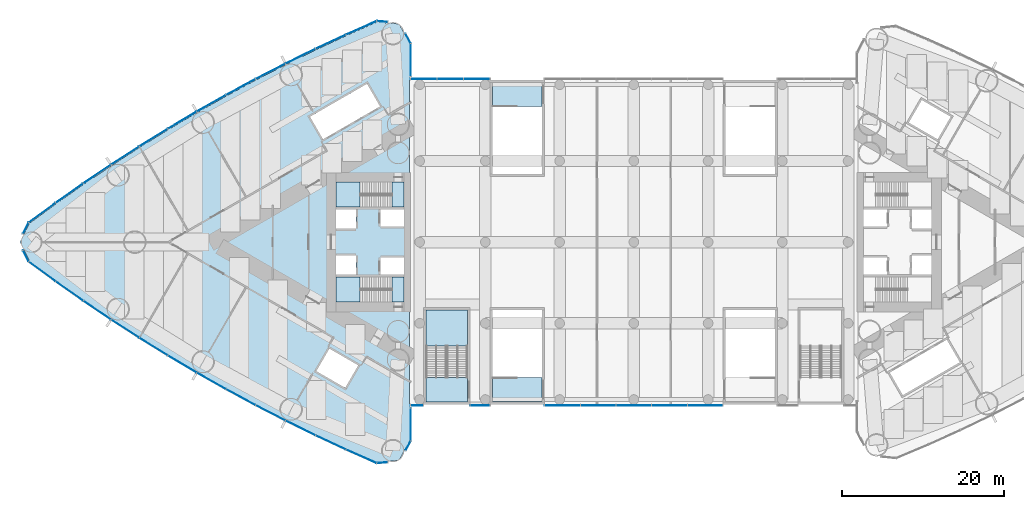
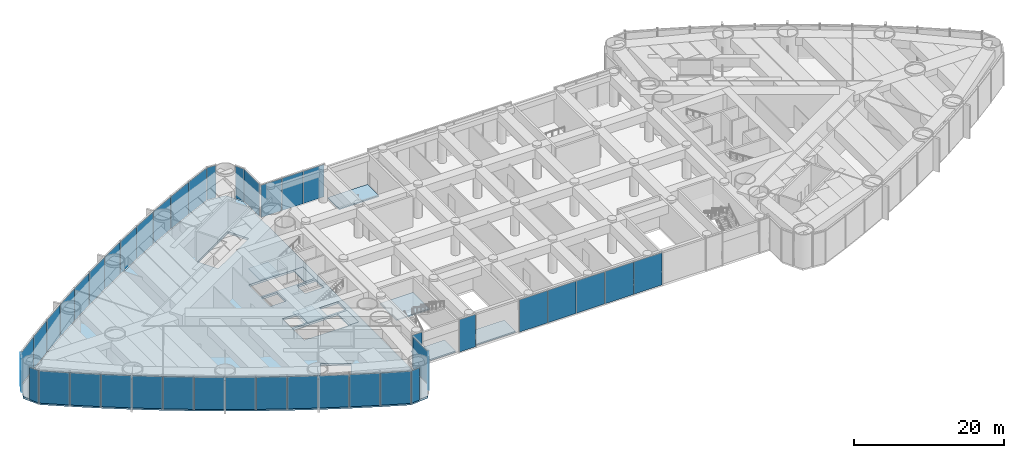
# One storey, part 12 of 20: 42 plates, 9 slabs, 11 elements without a shape of their own.
"""IFC4 building model written with IfcOpenShell, lengths in metres."""

from ifc_helpers import new_model, si_unit, direction, frame, origin, origin_2d, place, context, subcontext, project, spatial, polyline, rectangle, outline, extrude, material, layer, layer_set, type_object, element, aggregate, save


model = new_model("IFC4")

# Units and contexts
model_context = context("Model", 3, precision=1e-05, world=origin(), true_north=direction((0.0, 1.0)))
body_context = subcontext(model_context, "Body", "Model", "MODEL_VIEW")
ifc_project = project(units=[si_unit("LENGTHUNIT", "METRE"), si_unit("AREAUNIT", "SQUARE_METRE"), si_unit("VOLUMEUNIT", "CUBIC_METRE"), si_unit("PLANEANGLEUNIT", "RADIAN"), si_unit("MASSUNIT", "GRAM", prefix="KILO")], contexts=[model_context])

# Site, building, storey
site_placement = place(None, origin())
site = spatial("IfcSite", under=ifc_project, at=site_placement, CompositionType="ELEMENT")
building_placement = place(site_placement, origin())
building = spatial("IfcBuilding", under=site, at=building_placement, Name="Lancet Gate Hotel", CompositionType="ELEMENT")
storey_placement = place(building_placement, frame((0.0, 0.0, 7.199951171875)))
storey = spatial("IfcBuildingStorey", under=building, at=storey_placement, Name="L01", CompositionType="ELEMENT", Elevation=7.199951171875)

# Slab
ifc_material_1 = material(Name="Concrete C50/60", Category="concrete")
ifc_layer_1 = layer(ifc_material_1, 0.35009765625)
ifc_layer_set_1 = layer_set([ifc_layer_1], Name="Floor slab 350")
slab_type_1 = type_object("IfcSlabType", Name="Floor slab 350", PredefinedType="FLOOR", material=ifc_layer_set_1)
slab_1_placement = place(storey_placement, frame((0.0, 0.0, -0.349853515625)))
element("IfcSlab", 1, at=slab_1_placement, inside=storey, type_object=slab_type_1, Name="T1 L01 floor slab", PredefinedType="FLOOR", context=body_context, shape_type="SweptSolid", body=[
    extrude(outline(polyline([(-27.6201171875, -24.4609375), (-27.6201171875, 24.4609375), (-28.926513671875, 26.8837890625), (-31.668212890625, 27.12353515625), (-35.424072265625, 25.458740234375), (-39.173583984375, 23.70849609375), (-42.887939453125, 21.884765625), (-46.56591796875, 19.98876953125), (-50.2060546875, 18.02099609375), (-53.806884765625, 15.982421875), (-57.366943359375, 13.87353515625), (-60.88525390625, 11.695068359375), (-64.360107421875, 9.448486328125), (-67.7900390625, 7.134033203125), (-71.17431640625, 4.752685546875), (-74.488525390625, 2.322021484375), (-75.65087890625, 0.0), (-74.488525390625, -2.322021484375), (-71.17431640625, -4.752685546875), (-67.7900390625, -7.134033203125), (-64.360107421875, -9.448486328125), (-60.88525390625, -11.695068359375), (-57.366943359375, -13.87353515625), (-53.806884765625, -15.982421875), (-50.2060546875, -18.02099609375), (-46.56591796875, -19.98876953125), (-42.887939453125, -21.884765625), (-39.173583984375, -23.70849609375), (-35.424072265625, -25.458740234375), (-31.668212890625, -27.12353515625), (-28.926513671875, -26.8837890625), (-27.6201171875, -24.4609375)]), holes=[polyline([(-36.699951171875, 7.39990234375), (-36.699951171875, 4.300048828125), (-28.300048828125, 4.300048828125), (-28.300048828125, 7.39990234375), (-36.699951171875, 7.39990234375)]), polyline([(-28.300048828125, 4.0), (-31.199951171875, 4.0), (-31.199951171875, 1.89990234375), (-28.300048828125, 1.89990234375), (-28.300048828125, 4.0)]), polyline([(-34.25, 4.0), (-36.699951171875, 4.0), (-36.699951171875, 1.64990234375), (-34.25, 1.64990234375), (-34.25, 4.0)]), polyline([(-36.699951171875, -1.64990234375), (-36.699951171875, -4.0), (-34.25, -4.0), (-34.25, -1.64990234375), (-36.699951171875, -1.64990234375)]), polyline([(-28.300048828125, -1.89990234375), (-31.199951171875, -1.89990234375), (-31.199951171875, -4.0), (-28.300048828125, -4.0), (-28.300048828125, -1.89990234375)]), polyline([(-28.300048828125, -4.300048828125), (-36.699951171875, -4.300048828125), (-36.699951171875, -7.39990234375), (-28.300048828125, -7.39990234375), (-28.300048828125, -4.300048828125)]), polyline([(-31.2900390625, 16.73095703125), (-32.889892578125, 19.501953125), (-39.904052734375, 15.451904296875), (-38.303955078125, 12.680908203125), (-31.2900390625, 16.73095703125)]), polyline([(-33.97412109375, -15.180908203125), (-37.52490234375, -13.131103515625), (-39.125, -15.902099609375), (-35.573974609375, -17.951904296875), (-33.97412109375, -15.180908203125)])]), origin(), (0.0, 0.0, 1.0), 0.349853515625),
])

# Curtain wall, plates
ifc_material_2 = material(Name="Aluminium curtain wall", Category="aluminium")
curtain_wall_type = type_object("IfcCurtainWallType", Name="Podium curtain wall", PredefinedType="USERDEFINED", material=ifc_material_2)
curtain_wall_1_placement = place(storey_placement, origin())
curtain_wall_1 = element("IfcCurtainWall", 2, at=curtain_wall_1_placement, inside=storey, type_object=curtain_wall_type, Name="T1 L01 curtain wall 1", ObjectType="UNITISED CURTAIN WALL", PredefinedType="USERDEFINED")
ifc_material_3 = material(Name="Glass double glazed unit 10-16-10", Category="glass")
ifc_layer_2 = layer(ifc_material_3, 0.035888671875)
ifc_layer_set_2 = layer_set([ifc_layer_2], Name="Podium vision panel")
plate_type = type_object("IfcPlateType", Name="Podium vision panel", PredefinedType="CURTAIN_PANEL", material=ifc_layer_set_2)
plate_1_placement = place(storey_placement, frame((-27.5, 22.454833984375, 0.0), z_axis=(0.0, 0.0, 1.0), x_axis=(0.0, 1.0, 0.0)))
plate_1 = element("IfcPlate", 3, at=plate_1_placement, type_object=plate_type, Name="T1 L01 curtain wall 1 panel 1", PredefinedType="CURTAIN_PANEL", context=body_context, shape_type="SweptSolid", body=[
    extrude(rectangle(XDim=4.0078125, YDim=0.035888671875, at=origin_2d()), origin(), (0.0, 0.0, 1.0), 5.25),
])
plate_2_placement = place(storey_placement, frame((-27.829345703125, 25.10205078125, 0.0), z_axis=(0.0, 0.0, 1.0), x_axis=(-0.474631040972, 0.880184852714, 0.0)))
plate_2 = element("IfcPlate", 4, at=plate_2_placement, type_object=plate_type, Name="T1 L01 curtain wall 1 panel 2", PredefinedType="CURTAIN_PANEL", context=body_context, shape_type="SweptSolid", body=[
    extrude(rectangle(XDim=1.322998046875, YDim=0.035888671875, at=origin_2d()), origin(), (0.0, 0.0, 1.0), 5.25),
])
aggregate(curtain_wall_1, [plate_1, plate_2])

curtain_wall_2_placement = place(storey_placement, origin())
curtain_wall_2 = element("IfcCurtainWall", 5, at=curtain_wall_2_placement, inside=storey, type_object=curtain_wall_type, Name="T1 L01 curtain wall 2", ObjectType="UNITISED CURTAIN WALL", PredefinedType="USERDEFINED")
plate_3_placement = place(storey_placement, frame((-30.99658203125, 27.185302734375, 0.0), z_axis=(0.0, 0.0, 1.0), x_axis=(-0.99620380374, 0.087051602022, 0.0)))
plate_3 = element("IfcPlate", 6, at=plate_3_placement, type_object=plate_type, Name="T1 L01 curtain wall 2 panel 1", PredefinedType="CURTAIN_PANEL", context=body_context, shape_type="SweptSolid", body=[
    extrude(rectangle(XDim=1.32421875, YDim=0.035888671875, at=origin_2d()), origin(), (0.0, 0.0, 1.0), 5.25),
])
plate_4_placement = place(storey_placement, frame((-33.581298828125, 26.406982421875, 0.0), z_axis=(0.0, 0.0, 1.0), x_axis=(-0.914234183208, -0.405186201954, 0.0)))
plate_4 = element("IfcPlate", 7, at=plate_4_placement, type_object=plate_type, Name="T1 L01 curtain wall 2 panel 2", PredefinedType="CURTAIN_PANEL", context=body_context, shape_type="SweptSolid", body=[
    extrude(rectangle(XDim=4.0751953125, YDim=0.035888671875, at=origin_2d()), origin(), (0.0, 0.0, 1.0), 5.25),
])
plate_5_placement = place(storey_placement, frame((-37.349609375, 24.6923828125, 0.0), z_axis=(0.0, 0.0, 1.0), x_axis=(-0.906117767284, -0.423025521467, 0.0)))
plate_5 = element("IfcPlate", 8, at=plate_5_placement, type_object=plate_type, Name="T1 L01 curtain wall 2 panel 3", PredefinedType="CURTAIN_PANEL", context=body_context, shape_type="SweptSolid", body=[
    extrude(rectangle(XDim=4.0751953125, YDim=0.035888671875, at=origin_2d()), origin(), (0.0, 0.0, 1.0), 5.25),
])
plate_6_placement = place(storey_placement, frame((-41.083740234375, 22.904296875, 0.0), z_axis=(0.0, 0.0, 1.0), x_axis=(-0.897653295642, -0.440702349463, 0.0)))
plate_6 = element("IfcPlate", 9, at=plate_6_placement, type_object=plate_type, Name="T1 L01 curtain wall 2 panel 4", PredefinedType="CURTAIN_PANEL", context=body_context, shape_type="SweptSolid", body=[
    extrude(rectangle(XDim=4.0751953125, YDim=0.035888671875, at=origin_2d()), origin(), (0.0, 0.0, 1.0), 5.25),
])
plate_7_placement = place(storey_placement, frame((-44.781982421875, 21.04345703125, 0.0), z_axis=(0.0, 0.0, 1.0), x_axis=(-0.888844019644, -0.458209895946, 0.0)))
plate_7 = element("IfcPlate", 10, at=plate_7_placement, type_object=plate_type, Name="T1 L01 curtain wall 2 panel 5", PredefinedType="CURTAIN_PANEL", context=body_context, shape_type="SweptSolid", body=[
    extrude(rectangle(XDim=4.0751953125, YDim=0.035888671875, at=origin_2d()), origin(), (0.0, 0.0, 1.0), 5.25),
])
plate_8_placement = place(storey_placement, frame((-48.443115234375, 19.110595703125, 0.0), z_axis=(0.0, 0.0, 1.0), x_axis=(-0.87969332307, -0.475541435993, 0.0)))
plate_8 = element("IfcPlate", 11, at=plate_8_placement, type_object=plate_type, Name="T1 L01 curtain wall 2 panel 6", PredefinedType="CURTAIN_PANEL", context=body_context, shape_type="SweptSolid", body=[
    extrude(rectangle(XDim=4.0751953125, YDim=0.035888671875, at=origin_2d()), origin(), (0.0, 0.0, 1.0), 5.25),
])
plate_9_placement = place(storey_placement, frame((-52.065673828125, 17.106201171875, 0.0), z_axis=(0.0, 0.0, 1.0), x_axis=(-0.870204720871, -0.492690312238, 0.0)))
plate_9 = element("IfcPlate", 12, at=plate_9_placement, type_object=plate_type, Name="T1 L01 curtain wall 2 panel 7", PredefinedType="CURTAIN_PANEL", context=body_context, shape_type="SweptSolid", body=[
    extrude(rectangle(XDim=4.0751953125, YDim=0.035888671875, at=origin_2d()), origin(), (0.0, 0.0, 1.0), 5.25),
])
plate_10_placement = place(storey_placement, frame((-55.648193359375, 15.031005859375, 0.0), z_axis=(0.0, 0.0, 1.0), x_axis=(-0.860381857795, -0.509649937484, 0.0)))
plate_10 = element("IfcPlate", 13, at=plate_10_placement, type_object=plate_type, Name="T1 L01 curtain wall 2 panel 8", PredefinedType="CURTAIN_PANEL", context=body_context, shape_type="SweptSolid", body=[
    extrude(rectangle(XDim=4.0751953125, YDim=0.035888671875, at=origin_2d()), origin(), (0.0, 0.0, 1.0), 5.25),
])
plate_11_placement = place(storey_placement, frame((-59.189208984375, 12.88623046875, 0.0), z_axis=(0.0, 0.0, 1.0), x_axis=(-0.850228506958, -0.52641379727, 0.0)))
plate_11 = element("IfcPlate", 14, at=plate_11_placement, type_object=plate_type, Name="T1 L01 curtain wall 2 panel 9", PredefinedType="CURTAIN_PANEL", context=body_context, shape_type="SweptSolid", body=[
    extrude(rectangle(XDim=4.0751953125, YDim=0.035888671875, at=origin_2d()), origin(), (0.0, 0.0, 1.0), 5.25),
])
plate_12_placement = place(storey_placement, frame((-62.687744140625, 10.672607421875, 0.0), z_axis=(0.0, 0.0, 1.0), x_axis=(-0.839748568448, -0.54297545229, 0.0)))
plate_12 = element("IfcPlate", 15, at=plate_12_placement, type_object=plate_type, Name="T1 L01 curtain wall 2 panel 10", PredefinedType="CURTAIN_PANEL", context=body_context, shape_type="SweptSolid", body=[
    extrude(rectangle(XDim=4.0751953125, YDim=0.035888671875, at=origin_2d()), origin(), (0.0, 0.0, 1.0), 5.25),
])
plate_13_placement = place(storey_placement, frame((-66.142333984375, 8.390625, 0.0), z_axis=(0.0, 0.0, 1.0), x_axis=(-0.828946067803, -0.559328540907, 0.0)))
plate_13 = element("IfcPlate", 16, at=plate_13_placement, type_object=plate_type, Name="T1 L01 curtain wall 2 panel 11", PredefinedType="CURTAIN_PANEL", context=body_context, shape_type="SweptSolid", body=[
    extrude(rectangle(XDim=4.0751953125, YDim=0.035888671875, at=origin_2d()), origin(), (0.0, 0.0, 1.0), 5.25),
])
plate_14_placement = place(storey_placement, frame((-69.55126953125, 6.04150390625, 0.0), z_axis=(0.0, 0.0, 1.0), x_axis=(-0.817825154435, -0.575466781642, 0.0)))
plate_14 = element("IfcPlate", 17, at=plate_14_placement, type_object=plate_type, Name="T1 L01 curtain wall 2 panel 12", PredefinedType="CURTAIN_PANEL", context=body_context, shape_type="SweptSolid", body=[
    extrude(rectangle(XDim=4.0751953125, YDim=0.035888671875, at=origin_2d()), origin(), (0.0, 0.0, 1.0), 5.25),
])
plate_15_placement = place(storey_placement, frame((-72.91357421875, 3.6259765625, 0.0), z_axis=(0.0, 0.0, 1.0), x_axis=(-0.80639010009, -0.591383975499, 0.0)))
plate_15 = element("IfcPlate", 18, at=plate_15_placement, type_object=plate_type, Name="T1 L01 curtain wall 2 panel 13", PredefinedType="CURTAIN_PANEL", context=body_context, shape_type="SweptSolid", body=[
    extrude(rectangle(XDim=4.0751953125, YDim=0.035888671875, at=origin_2d()), origin(), (0.0, 0.0, 1.0), 5.25),
])
plate_16_placement = place(storey_placement, frame((-74.93505859375, 1.6982421875, 0.0), z_axis=(0.0, 0.0, 1.0), x_axis=(-0.447628324726, -0.89421970617, 0.0)))
plate_16 = element("IfcPlate", 19, at=plate_16_placement, type_object=plate_type, Name="T1 L01 curtain wall 2 panel 14", PredefinedType="CURTAIN_PANEL", context=body_context, shape_type="SweptSolid", body=[
    extrude(rectangle(XDim=1.50830078125, YDim=0.035888671875, at=origin_2d()), origin(), (0.0, 0.0, 1.0), 5.25),
])
aggregate(curtain_wall_2, [plate_3, plate_4, plate_5, plate_6, plate_7, plate_8, plate_9, plate_10, plate_11, plate_12, plate_13, plate_14, plate_15, plate_16])

curtain_wall_3_placement = place(storey_placement, origin())
curtain_wall_3 = element("IfcCurtainWall", 20, at=curtain_wall_3_placement, inside=storey, type_object=curtain_wall_type, Name="T1 L01 curtain wall 3", ObjectType="UNITISED CURTAIN WALL", PredefinedType="USERDEFINED")
plate_17_placement = place(storey_placement, frame((-74.93505859375, -1.6982421875, 0.0), z_axis=(0.0, 0.0, 1.0), x_axis=(0.447628324726, -0.89421970617, 0.0)))
plate_17 = element("IfcPlate", 21, at=plate_17_placement, type_object=plate_type, Name="T1 L01 curtain wall 3 panel 1", PredefinedType="CURTAIN_PANEL", context=body_context, shape_type="SweptSolid", body=[
    extrude(rectangle(XDim=1.50830078125, YDim=0.035888671875, at=origin_2d()), origin(), (0.0, 0.0, 1.0), 5.25),
])
plate_18_placement = place(storey_placement, frame((-72.91357421875, -3.6259765625, 0.0), z_axis=(0.0, 0.0, 1.0), x_axis=(0.80639010009, -0.591383975499, 0.0)))
plate_18 = element("IfcPlate", 22, at=plate_18_placement, type_object=plate_type, Name="T1 L01 curtain wall 3 panel 2", PredefinedType="CURTAIN_PANEL", context=body_context, shape_type="SweptSolid", body=[
    extrude(rectangle(XDim=4.0751953125, YDim=0.035888671875, at=origin_2d()), origin(), (0.0, 0.0, 1.0), 5.25),
])
plate_19_placement = place(storey_placement, frame((-69.55126953125, -6.04150390625, 0.0), z_axis=(0.0, 0.0, 1.0), x_axis=(0.817825154435, -0.575466781642, 0.0)))
plate_19 = element("IfcPlate", 23, at=plate_19_placement, type_object=plate_type, Name="T1 L01 curtain wall 3 panel 3", PredefinedType="CURTAIN_PANEL", context=body_context, shape_type="SweptSolid", body=[
    extrude(rectangle(XDim=4.0751953125, YDim=0.035888671875, at=origin_2d()), origin(), (0.0, 0.0, 1.0), 5.25),
])
plate_20_placement = place(storey_placement, frame((-66.142333984375, -8.390625, 0.0), z_axis=(0.0, 0.0, 1.0), x_axis=(0.828946067803, -0.559328540907, 0.0)))
plate_20 = element("IfcPlate", 24, at=plate_20_placement, type_object=plate_type, Name="T1 L01 curtain wall 3 panel 4", PredefinedType="CURTAIN_PANEL", context=body_context, shape_type="SweptSolid", body=[
    extrude(rectangle(XDim=4.0751953125, YDim=0.035888671875, at=origin_2d()), origin(), (0.0, 0.0, 1.0), 5.25),
])
plate_21_placement = place(storey_placement, frame((-62.687744140625, -10.672607421875, 0.0), z_axis=(0.0, 0.0, 1.0), x_axis=(0.839748568448, -0.54297545229, 0.0)))
plate_21 = element("IfcPlate", 25, at=plate_21_placement, type_object=plate_type, Name="T1 L01 curtain wall 3 panel 5", PredefinedType="CURTAIN_PANEL", context=body_context, shape_type="SweptSolid", body=[
    extrude(rectangle(XDim=4.0751953125, YDim=0.035888671875, at=origin_2d()), origin(), (0.0, 0.0, 1.0), 5.25),
])
plate_22_placement = place(storey_placement, frame((-59.189208984375, -12.88623046875, 0.0), z_axis=(0.0, 0.0, 1.0), x_axis=(0.850228506958, -0.52641379727, 0.0)))
plate_22 = element("IfcPlate", 26, at=plate_22_placement, type_object=plate_type, Name="T1 L01 curtain wall 3 panel 6", PredefinedType="CURTAIN_PANEL", context=body_context, shape_type="SweptSolid", body=[
    extrude(rectangle(XDim=4.0751953125, YDim=0.035888671875, at=origin_2d()), origin(), (0.0, 0.0, 1.0), 5.25),
])
plate_23_placement = place(storey_placement, frame((-55.648193359375, -15.031005859375, 0.0), z_axis=(0.0, 0.0, 1.0), x_axis=(0.860381857795, -0.509649937484, 0.0)))
plate_23 = element("IfcPlate", 27, at=plate_23_placement, type_object=plate_type, Name="T1 L01 curtain wall 3 panel 7", PredefinedType="CURTAIN_PANEL", context=body_context, shape_type="SweptSolid", body=[
    extrude(rectangle(XDim=4.0751953125, YDim=0.035888671875, at=origin_2d()), origin(), (0.0, 0.0, 1.0), 5.25),
])
plate_24_placement = place(storey_placement, frame((-52.065673828125, -17.106201171875, 0.0), z_axis=(0.0, 0.0, 1.0), x_axis=(0.870204720871, -0.492690312238, 0.0)))
plate_24 = element("IfcPlate", 28, at=plate_24_placement, type_object=plate_type, Name="T1 L01 curtain wall 3 panel 8", PredefinedType="CURTAIN_PANEL", context=body_context, shape_type="SweptSolid", body=[
    extrude(rectangle(XDim=4.0751953125, YDim=0.035888671875, at=origin_2d()), origin(), (0.0, 0.0, 1.0), 5.25),
])
plate_25_placement = place(storey_placement, frame((-48.443115234375, -19.110595703125, 0.0), z_axis=(0.0, 0.0, 1.0), x_axis=(0.87969332307, -0.475541435993, 0.0)))
plate_25 = element("IfcPlate", 29, at=plate_25_placement, type_object=plate_type, Name="T1 L01 curtain wall 3 panel 9", PredefinedType="CURTAIN_PANEL", context=body_context, shape_type="SweptSolid", body=[
    extrude(rectangle(XDim=4.0751953125, YDim=0.035888671875, at=origin_2d()), origin(), (0.0, 0.0, 1.0), 5.25),
])
plate_26_placement = place(storey_placement, frame((-44.781982421875, -21.04345703125, 0.0), z_axis=(0.0, 0.0, 1.0), x_axis=(0.888844019644, -0.458209895946, 0.0)))
plate_26 = element("IfcPlate", 30, at=plate_26_placement, type_object=plate_type, Name="T1 L01 curtain wall 3 panel 10", PredefinedType="CURTAIN_PANEL", context=body_context, shape_type="SweptSolid", body=[
    extrude(rectangle(XDim=4.0751953125, YDim=0.035888671875, at=origin_2d()), origin(), (0.0, 0.0, 1.0), 5.25),
])
plate_27_placement = place(storey_placement, frame((-41.083740234375, -22.904296875, 0.0), z_axis=(0.0, 0.0, 1.0), x_axis=(0.897653295642, -0.440702349463, 0.0)))
plate_27 = element("IfcPlate", 31, at=plate_27_placement, type_object=plate_type, Name="T1 L01 curtain wall 3 panel 11", PredefinedType="CURTAIN_PANEL", context=body_context, shape_type="SweptSolid", body=[
    extrude(rectangle(XDim=4.0751953125, YDim=0.035888671875, at=origin_2d()), origin(), (0.0, 0.0, 1.0), 5.25),
])
plate_28_placement = place(storey_placement, frame((-37.349609375, -24.6923828125, 0.0), z_axis=(0.0, 0.0, 1.0), x_axis=(0.906117767284, -0.423025521467, 0.0)))
plate_28 = element("IfcPlate", 32, at=plate_28_placement, type_object=plate_type, Name="T1 L01 curtain wall 3 panel 12", PredefinedType="CURTAIN_PANEL", context=body_context, shape_type="SweptSolid", body=[
    extrude(rectangle(XDim=4.0751953125, YDim=0.035888671875, at=origin_2d()), origin(), (0.0, 0.0, 1.0), 5.25),
])
plate_29_placement = place(storey_placement, frame((-33.581298828125, -26.406982421875, 0.0), z_axis=(0.0, 0.0, 1.0), x_axis=(0.914234183208, -0.405186201954, 0.0)))
plate_29 = element("IfcPlate", 33, at=plate_29_placement, type_object=plate_type, Name="T1 L01 curtain wall 3 panel 13", PredefinedType="CURTAIN_PANEL", context=body_context, shape_type="SweptSolid", body=[
    extrude(rectangle(XDim=4.0751953125, YDim=0.035888671875, at=origin_2d()), origin(), (0.0, 0.0, 1.0), 5.25),
])
plate_30_placement = place(storey_placement, frame((-30.99658203125, -27.185302734375, 0.0), z_axis=(0.0, 0.0, 1.0), x_axis=(0.99620380374, 0.087051602022, 0.0)))
plate_30 = element("IfcPlate", 34, at=plate_30_placement, type_object=plate_type, Name="T1 L01 curtain wall 3 panel 14", PredefinedType="CURTAIN_PANEL", context=body_context, shape_type="SweptSolid", body=[
    extrude(rectangle(XDim=1.32421875, YDim=0.035888671875, at=origin_2d()), origin(), (0.0, 0.0, 1.0), 5.25),
])
aggregate(curtain_wall_3, [plate_17, plate_18, plate_19, plate_20, plate_21, plate_22, plate_23, plate_24, plate_25, plate_26, plate_27, plate_28, plate_29, plate_30])

curtain_wall_4_placement = place(storey_placement, origin())
curtain_wall_4 = element("IfcCurtainWall", 35, at=curtain_wall_4_placement, inside=storey, type_object=curtain_wall_type, Name="T1 L01 curtain wall 4", ObjectType="UNITISED CURTAIN WALL", PredefinedType="USERDEFINED")
plate_31_placement = place(storey_placement, frame((-27.829345703125, -25.10205078125, 0.0), z_axis=(0.0, 0.0, 1.0), x_axis=(0.474631040972, 0.880184852714, 0.0)))
plate_31 = element("IfcPlate", 36, at=plate_31_placement, type_object=plate_type, Name="T1 L01 curtain wall 4 panel 1", PredefinedType="CURTAIN_PANEL", context=body_context, shape_type="SweptSolid", body=[
    extrude(rectangle(XDim=1.322998046875, YDim=0.035888671875, at=origin_2d()), origin(), (0.0, 0.0, 1.0), 5.25),
])
plate_32_placement = place(storey_placement, frame((-27.5, -22.454833984375, 0.0), z_axis=(0.0, 0.0, 1.0), x_axis=(0.0, 1.0, 0.0)))
plate_32 = element("IfcPlate", 37, at=plate_32_placement, type_object=plate_type, Name="T1 L01 curtain wall 4 panel 2", PredefinedType="CURTAIN_PANEL", context=body_context, shape_type="SweptSolid", body=[
    extrude(rectangle(XDim=4.0078125, YDim=0.035888671875, at=origin_2d()), origin(), (0.0, 0.0, 1.0), 5.25),
])
aggregate(curtain_wall_4, [plate_31, plate_32])

# Curtain wall, plate
curtain_wall_5_placement = place(storey_placement, origin())
curtain_wall_5 = element("IfcCurtainWall", 38, at=curtain_wall_5_placement, inside=storey, type_object=curtain_wall_type, Name="Podium L01 curtain wall S1", ObjectType="UNITISED CURTAIN WALL", PredefinedType="USERDEFINED")
plate_33_placement = place(storey_placement, frame((-26.699951171875, -20.1201171875, 0.0), z_axis=(0.0, 0.0, 1.0), x_axis=(1.0, 0.0, 0.0)))
plate_33 = element("IfcPlate", 39, at=plate_33_placement, type_object=plate_type, Name="Podium L01 curtain wall S1 panel 1", PredefinedType="CURTAIN_PANEL", context=body_context, shape_type="SweptSolid", body=[
    extrude(rectangle(XDim=1.534912109375, YDim=0.035888671875, at=origin_2d()), origin(), (0.0, 0.0, 1.0), 5.25),
])
aggregate(curtain_wall_5, [plate_33])

curtain_wall_6_placement = place(storey_placement, origin())
curtain_wall_6 = element("IfcCurtainWall", 40, at=curtain_wall_6_placement, inside=storey, type_object=curtain_wall_type, Name="Podium L01 curtain wall S2", ObjectType="UNITISED CURTAIN WALL", PredefinedType="USERDEFINED")
plate_34_placement = place(storey_placement, frame((-18.949951171875, -20.1201171875, 0.0), z_axis=(0.0, 0.0, 1.0), x_axis=(1.0, 0.0, 0.0)))
plate_34 = element("IfcPlate", 41, at=plate_34_placement, type_object=plate_type, Name="Podium L01 curtain wall S2 panel 1", PredefinedType="CURTAIN_PANEL", context=body_context, shape_type="SweptSolid", body=[
    extrude(rectangle(XDim=2.43505859375, YDim=0.035888671875, at=origin_2d()), origin(), (0.0, 0.0, 1.0), 5.25),
])
aggregate(curtain_wall_6, [plate_34])

# Curtain wall, plates
curtain_wall_7_placement = place(storey_placement, origin())
curtain_wall_7 = element("IfcCurtainWall", 42, at=curtain_wall_7_placement, inside=storey, type_object=curtain_wall_type, Name="Podium L01 curtain wall S3", ObjectType="UNITISED CURTAIN WALL", PredefinedType="USERDEFINED")
plate_35_placement = place(storey_placement, frame((-8.800048828125, -20.1201171875, 0.0), z_axis=(0.0, 0.0, 1.0), x_axis=(1.0, 0.0, 0.0)))
plate_35 = element("IfcPlate", 43, at=plate_35_placement, type_object=plate_type, Name="Podium L01 curtain wall S3 panel 1", PredefinedType="CURTAIN_PANEL", context=body_context, shape_type="SweptSolid", body=[
    extrude(rectangle(XDim=4.3349609375, YDim=0.035888671875, at=origin_2d()), origin(), (0.0, 0.0, 1.0), 5.25),
])
plate_36_placement = place(storey_placement, frame((-4.39990234375, -20.1201171875, 0.0), z_axis=(0.0, 0.0, 1.0), x_axis=(1.0, 0.0, 0.0)))
plate_36 = element("IfcPlate", 44, at=plate_36_placement, type_object=plate_type, Name="Podium L01 curtain wall S3 panel 2", PredefinedType="CURTAIN_PANEL", context=body_context, shape_type="SweptSolid", body=[
    extrude(rectangle(XDim=4.3349609375, YDim=0.035888671875, at=origin_2d()), origin(), (0.0, 0.0, 1.0), 5.25),
])
plate_37_placement = place(storey_placement, frame((0.0, -20.1201171875, 0.0), z_axis=(0.0, 0.0, 1.0), x_axis=(1.0, 0.0, 0.0)))
plate_37 = element("IfcPlate", 45, at=plate_37_placement, type_object=plate_type, Name="Podium L01 curtain wall S3 panel 3", PredefinedType="CURTAIN_PANEL", context=body_context, shape_type="SweptSolid", body=[
    extrude(rectangle(XDim=4.3349609375, YDim=0.035888671875, at=origin_2d()), origin(), (0.0, 0.0, 1.0), 5.25),
])
plate_38_placement = place(storey_placement, frame((4.39990234375, -20.1201171875, 0.0), z_axis=(0.0, 0.0, 1.0), x_axis=(1.0, 0.0, 0.0)))
plate_38 = element("IfcPlate", 46, at=plate_38_placement, type_object=plate_type, Name="Podium L01 curtain wall S3 panel 4", PredefinedType="CURTAIN_PANEL", context=body_context, shape_type="SweptSolid", body=[
    extrude(rectangle(XDim=4.3349609375, YDim=0.035888671875, at=origin_2d()), origin(), (0.0, 0.0, 1.0), 5.25),
])
plate_39_placement = place(storey_placement, frame((8.800048828125, -20.1201171875, 0.0), z_axis=(0.0, 0.0, 1.0), x_axis=(1.0, 0.0, 0.0)))
plate_39 = element("IfcPlate", 47, at=plate_39_placement, type_object=plate_type, Name="Podium L01 curtain wall S3 panel 5", PredefinedType="CURTAIN_PANEL", context=body_context, shape_type="SweptSolid", body=[
    extrude(rectangle(XDim=4.3349609375, YDim=0.035888671875, at=origin_2d()), origin(), (0.0, 0.0, 1.0), 5.25),
])
aggregate(curtain_wall_7, [plate_35, plate_36, plate_37, plate_38, plate_39])

curtain_wall_8_placement = place(storey_placement, origin())
curtain_wall_8 = element("IfcCurtainWall", 48, at=curtain_wall_8_placement, inside=storey, type_object=curtain_wall_type, Name="Podium L01 curtain wall N1", ObjectType="UNITISED CURTAIN WALL", PredefinedType="USERDEFINED")
plate_40_placement = place(storey_placement, frame((-19.333251953125, 20.1201171875, 0.0), z_axis=(0.0, 0.0, 1.0), x_axis=(-1.0, 0.0, 0.0)))
plate_40 = element("IfcPlate", 49, at=plate_40_placement, type_object=plate_type, Name="Podium L01 curtain wall N1 panel 1", PredefinedType="CURTAIN_PANEL", context=body_context, shape_type="SweptSolid", body=[
    extrude(rectangle(XDim=3.20166015625, YDim=0.035888671875, at=origin_2d()), origin(), (0.0, 0.0, 1.0), 5.25),
])
plate_41_placement = place(storey_placement, frame((-22.60009765625, 20.1201171875, 0.0), z_axis=(0.0, 0.0, 1.0), x_axis=(-1.0, 0.0, 0.0)))
plate_41 = element("IfcPlate", 50, at=plate_41_placement, type_object=plate_type, Name="Podium L01 curtain wall N1 panel 2", PredefinedType="CURTAIN_PANEL", context=body_context, shape_type="SweptSolid", body=[
    extrude(rectangle(XDim=3.20166015625, YDim=0.035888671875, at=origin_2d()), origin(), (0.0, 0.0, 1.0), 5.25),
])
plate_42_placement = place(storey_placement, frame((-25.86669921875, 20.1201171875, 0.0), z_axis=(0.0, 0.0, 1.0), x_axis=(-1.0, 0.0, 0.0)))
plate_42 = element("IfcPlate", 51, at=plate_42_placement, type_object=plate_type, Name="Podium L01 curtain wall N1 panel 3", PredefinedType="CURTAIN_PANEL", context=body_context, shape_type="SweptSolid", body=[
    extrude(rectangle(XDim=3.20166015625, YDim=0.035888671875, at=origin_2d()), origin(), (0.0, 0.0, 1.0), 5.25),
])
aggregate(curtain_wall_8, [plate_40, plate_41, plate_42])

# Stair, slabs
ifc_material_4 = material(Name="Exit stair 30 risers 1500")
stair_type_1 = type_object("IfcStairType", Name="Exit stair 30 risers 1500", PredefinedType="HALF_TURN_STAIR", material=ifc_material_4)
stair_1_placement = place(storey_placement, origin())
stair_1 = element("IfcStair", 52, at=stair_1_placement, inside=storey, type_object=stair_type_1, Name="T1 stair 1 L01", PredefinedType="HALF_TURN_STAIR")
ifc_material_5 = material(Name="Concrete C40/50", Category="concrete")
ifc_layer_3 = layer(ifc_material_5, 0.199951171875)
ifc_layer_set_3 = layer_set([ifc_layer_3], Name="Stair landing 200")
slab_type_2 = type_object("IfcSlabType", Name="Stair landing 200", PredefinedType="LANDING", material=ifc_layer_set_3)
slab_2_placement = place(storey_placement, frame((0.0, 0.0, -0.199951171875)))
slab_2 = element("IfcSlab", 53, at=slab_2_placement, type_object=slab_type_2, Name="ST1 landing 1", PredefinedType="LANDING", context=body_context, shape_type="SweptSolid", body=[
    extrude(outline(polyline([(-28.300048828125, 7.39990234375), (-29.800048828125, 7.39990234375), (-29.800048828125, 4.300048828125), (-28.300048828125, 4.300048828125), (-28.300048828125, 7.39990234375)])), origin(), (0.0, 0.0, 1.0), 0.199951171875),
])
slab_3_placement = place(storey_placement, frame((0.0, 0.0, 2.5)))
slab_3 = element("IfcSlab", 54, at=slab_3_placement, type_object=slab_type_2, Name="ST1 landing 2", PredefinedType="LANDING", context=body_context, shape_type="SweptSolid", body=[
    extrude(outline(polyline([(-33.719970703125, 7.39990234375), (-36.699951171875, 7.39990234375), (-36.699951171875, 4.300048828125), (-33.719970703125, 4.300048828125), (-33.719970703125, 7.39990234375)])), origin(), (0.0, 0.0, 1.0), 0.199951171875),
])
aggregate(stair_1, [slab_2, slab_3])

stair_2_placement = place(storey_placement, origin())
stair_2 = element("IfcStair", 55, at=stair_2_placement, inside=storey, type_object=stair_type_1, Name="T1 stair 2 L01", PredefinedType="HALF_TURN_STAIR")
slab_4_placement = place(storey_placement, frame((0.0, 0.0, -0.199951171875)))
slab_4 = element("IfcSlab", 56, at=slab_4_placement, type_object=slab_type_2, Name="ST2 landing 1", PredefinedType="LANDING", context=body_context, shape_type="SweptSolid", body=[
    extrude(outline(polyline([(-28.300048828125, -4.300048828125), (-29.800048828125, -4.300048828125), (-29.800048828125, -7.39990234375), (-28.300048828125, -7.39990234375), (-28.300048828125, -4.300048828125)])), origin(), (0.0, 0.0, 1.0), 0.199951171875),
])
slab_5_placement = place(storey_placement, frame((0.0, 0.0, 2.5)))
slab_5 = element("IfcSlab", 57, at=slab_5_placement, type_object=slab_type_2, Name="ST2 landing 2", PredefinedType="LANDING", context=body_context, shape_type="SweptSolid", body=[
    extrude(outline(polyline([(-33.719970703125, -4.300048828125), (-36.699951171875, -4.300048828125), (-36.699951171875, -7.39990234375), (-33.719970703125, -7.39990234375), (-33.719970703125, -4.300048828125)])), origin(), (0.0, 0.0, 1.0), 0.199951171875),
])
aggregate(stair_2, [slab_4, slab_5])

# Slabs
slab_6_placement = place(storey_placement, frame((0.0, 0.0, -0.199951171875)))
element("IfcSlab", 58, at=slab_6_placement, inside=storey, type_object=slab_type_2, Name="PS3 top landing L01", PredefinedType="LANDING", context=body_context, shape_type="SweptSolid", body=[
    extrude(outline(polyline([(-17.39990234375, -19.699951171875), (-11.300048828125, -19.699951171875), (-11.300048828125, -16.699951171875), (-17.39990234375, -16.699951171875), (-17.39990234375, -19.699951171875)])), origin(), (0.0, 0.0, 1.0), 0.199951171875),
])
slab_7_placement = place(storey_placement, frame((0.0, 0.0, -0.199951171875)))
element("IfcSlab", 59, at=slab_7_placement, inside=storey, type_object=slab_type_2, Name="PS4 top landing L01", PredefinedType="LANDING", context=body_context, shape_type="SweptSolid", body=[
    extrude(outline(polyline([(-17.39990234375, 16.699951171875), (-11.300048828125, 16.699951171875), (-11.300048828125, 19.699951171875), (-17.39990234375, 19.699951171875), (-17.39990234375, 16.699951171875)])), origin(), (0.0, 0.0, 1.0), 0.199951171875),
])

# Stair, slabs
ifc_material_6 = material(Name="Podium stair 30 risers 2500")
stair_type_2 = type_object("IfcStairType", Name="Podium stair 30 risers 2500", PredefinedType="HALF_TURN_STAIR", material=ifc_material_6)
stair_3_placement = place(storey_placement, origin())
stair_3 = element("IfcStair", 60, at=stair_3_placement, inside=storey, type_object=stair_type_2, Name="Podium stair PS6 L01", PredefinedType="HALF_TURN_STAIR")
slab_8_placement = place(storey_placement, frame((0.0, 0.0, -0.199951171875)))
slab_8 = element("IfcSlab", 61, at=slab_8_placement, type_object=slab_type_2, Name="PS6 landing 1", PredefinedType="LANDING", context=body_context, shape_type="SweptSolid", body=[
    extrude(outline(polyline([(-25.60009765625, -19.699951171875), (-20.5, -19.699951171875), (-20.5, -16.699951171875), (-25.60009765625, -16.699951171875), (-25.60009765625, -19.699951171875)])), origin(), (0.0, 0.0, 1.0), 0.199951171875),
])
slab_9_placement = place(storey_placement, frame((0.0, 0.0, 2.5)))
slab_9 = element("IfcSlab", 62, at=slab_9_placement, type_object=slab_type_2, Name="PS6 landing 2", PredefinedType="LANDING", context=body_context, shape_type="SweptSolid", body=[
    extrude(outline(polyline([(-25.60009765625, -12.780029296875), (-20.5, -12.780029296875), (-20.5, -8.3798828125), (-25.60009765625, -8.3798828125), (-25.60009765625, -12.780029296875)])), origin(), (0.0, 0.0, 1.0), 0.199951171875),
])
aggregate(stair_3, [slab_8, slab_9])

save(model, "model.ifc")
